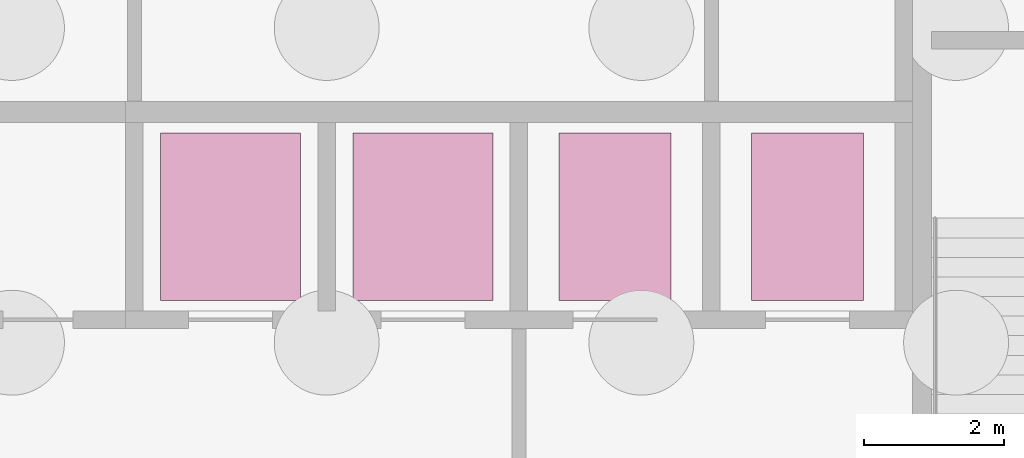
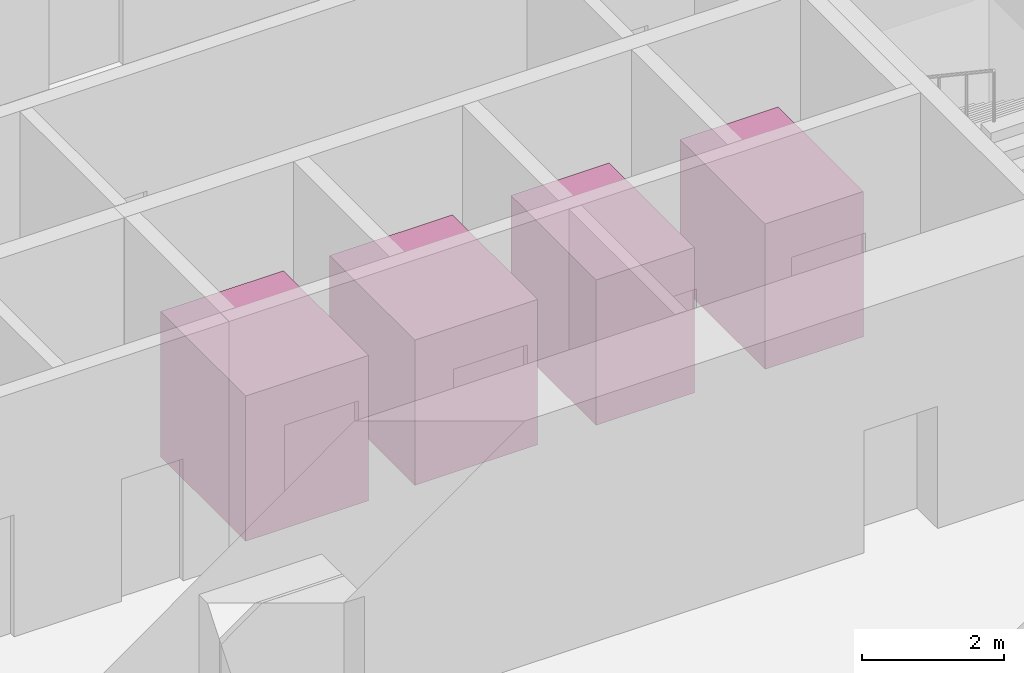
# One storey, part 12 of 12: 4 transport elements.
"""IFC4 building model written with IfcOpenShell, lengths in metres."""

from ifc_helpers import new_model, si_unit, direction, frame, origin, origin_2d, place, context, subcontext, project, spatial, rectangle, extrude, material, type_object, element, save


model = new_model("IFC4")

# Units and contexts
model_context = context("Model", 3, precision=1e-05, world=origin(), true_north=direction((0.0, 1.0)))
body_context = subcontext(model_context, "Body", "Model", "MODEL_VIEW")
ifc_project = project(units=[si_unit("LENGTHUNIT", "METRE"), si_unit("AREAUNIT", "SQUARE_METRE"), si_unit("VOLUMEUNIT", "CUBIC_METRE"), si_unit("PLANEANGLEUNIT", "RADIAN"), si_unit("MASSUNIT", "GRAM", prefix="KILO")], contexts=[model_context])

# Site, building, storey
site_placement = place(None, origin())
site = spatial("IfcSite", under=ifc_project, at=site_placement, CompositionType="ELEMENT")
building_placement = place(site_placement, origin())
building = spatial("IfcBuilding", under=site, at=building_placement, Name="Dilmun Exchange Tower", CompositionType="ELEMENT")
storey_placement = place(building_placement, frame((0.0, 0.0, -9.0)))
storey = spatial("IfcBuildingStorey", under=building, at=storey_placement, Name="B2", CompositionType="ELEMENT", Elevation=-9.0)

# Transport elements
ifc_material = material(Name="Stainless steel", Category="steel")
transport_element_type_1 = type_object("IfcTransportElementType", Name="Fire-fighting lift car 1600x2400", PredefinedType="ELEVATOR", material=ifc_material)
for number, where, z_axis, x_axis, name in (
    (1, (4.125, -7.199951171875, 0.0), (0.0, 0.0, 1.0), (1.0, 0.0, 0.0), "Fire-fighting lift FF1"),
    (2, (6.875, -7.199951171875, 0.0), (0.0, 0.0, 1.0), (1.0, 0.0, 0.0), "Fire-fighting lift FF2"),
):
    element("IfcTransportElement", number, at=place(storey_placement, frame(where, z_axis=z_axis, x_axis=x_axis)), inside=storey, type_object=transport_element_type_1, Name=name, PredefinedType="ELEVATOR", context=body_context, shape_type="SweptSolid", body=[
        extrude(rectangle(XDim=1.60009765625, YDim=2.39990234375, at=origin_2d()), origin(), (0.0, 0.0, 1.0), 2.5),
    ])
transport_element_type_2 = type_object("IfcTransportElementType", Name="Service lift car 2000x2400", PredefinedType="ELEVATOR", material=ifc_material)
for number, where, z_axis, x_axis, name in (
    (3, (-1.375, -7.199951171875, 0.0), (0.0, 0.0, 1.0), (1.0, 0.0, 0.0), "Service lift SV1"),
    (4, (1.375, -7.199951171875, 0.0), (0.0, 0.0, 1.0), (1.0, 0.0, 0.0), "Service lift SV2"),
):
    element("IfcTransportElement", number, at=place(storey_placement, frame(where, z_axis=z_axis, x_axis=x_axis)), inside=storey, type_object=transport_element_type_2, Name=name, PredefinedType="ELEVATOR", context=body_context, shape_type="SweptSolid", body=[
        extrude(rectangle(XDim=2.0, YDim=2.39990234375, at=origin_2d()), origin(), (0.0, 0.0, 1.0), 2.5),
    ])

save(model, "model.ifc")
